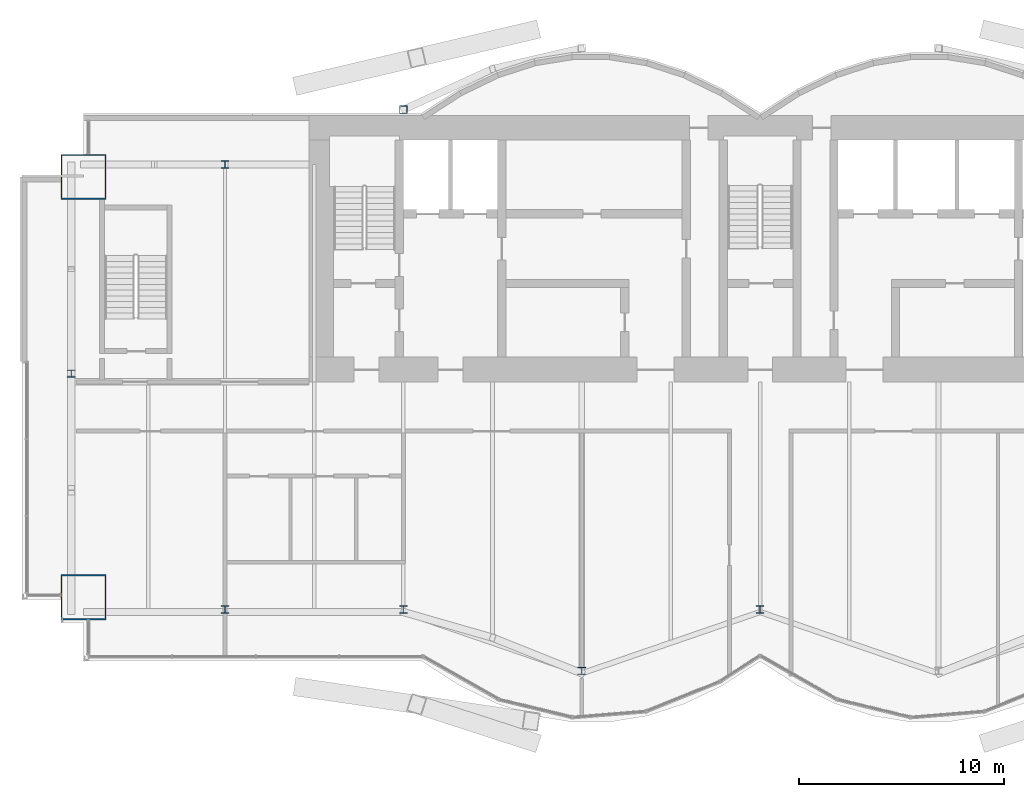
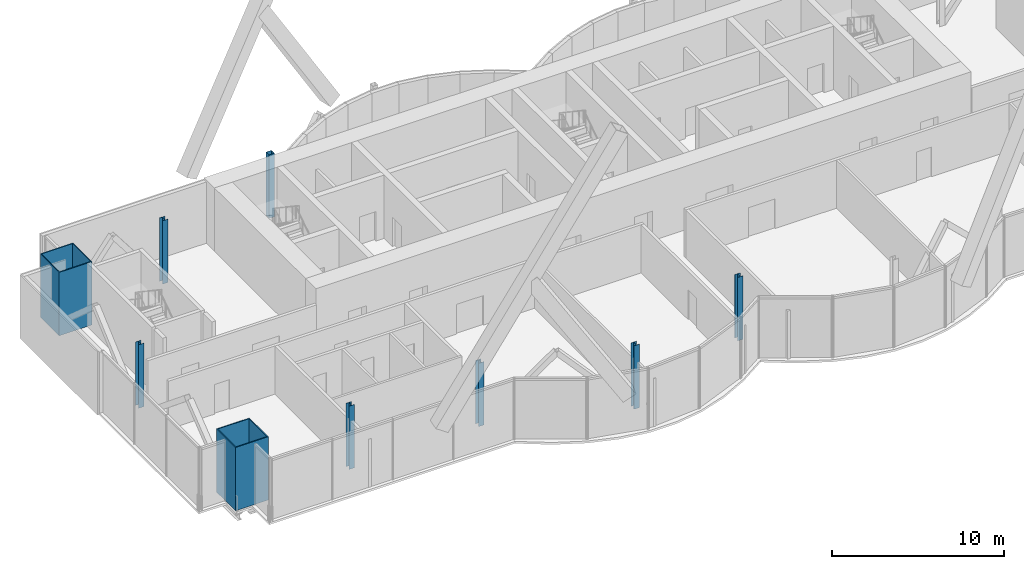
# One storey, part 1 of 20: 9 columns.
"""IFC4 building model written with IfcOpenShell, lengths in metres."""

from ifc_helpers import new_model, si_unit, direction, frame, origin, origin_2d, place, context, subcontext, project, spatial, hollow_rectangle, i_section, extrude, material, material_profile, profile_set, type_object, element, save


model = new_model("IFC4")

# Units and contexts
model_context = context("Model", 3, precision=1e-05, world=origin(), true_north=direction((0.0, 1.0)))
body_context = subcontext(model_context, "Body", "Model", "MODEL_VIEW")
ifc_project = project(units=[si_unit("LENGTHUNIT", "METRE"), si_unit("AREAUNIT", "SQUARE_METRE"), si_unit("VOLUMEUNIT", "CUBIC_METRE"), si_unit("PLANEANGLEUNIT", "RADIAN"), si_unit("MASSUNIT", "GRAM", prefix="KILO")], contexts=[model_context])

# Site, building, storey
site_placement = place(None, origin())
site = spatial("IfcSite", under=ifc_project, at=site_placement, CompositionType="ELEMENT")
building_placement = place(site_placement, origin())
building = spatial("IfcBuilding", under=site, at=building_placement, Name="Bicima Exchange Tower", CompositionType="ELEMENT")
storey_placement = place(building_placement, frame((0.0, 0.0, 306.5)))
storey = spatial("IfcBuildingStorey", under=building, at=storey_placement, Name="L69", CompositionType="ELEMENT", Elevation=306.5)

# Columns
ifc_material_1 = material(Name="Steel ASTM A572 Gr 50", Category="steel")
ifc_material_profile_1 = material_profile(ifc_material_1, hollow_rectangle(XDim=2.199951171875, YDim=2.199951171875, WallThickness=0.06005859375, at=origin_2d()))
ifc_profile_set_1 = profile_set([ifc_material_profile_1], Name="Steel ASTM A572 Gr 50")
column_type_1 = type_object("IfcColumnType", Name="Mega column BOX 2200x2200x60", PredefinedType="COLUMN", material=ifc_profile_set_1)
for number, where, z_axis, x_axis, name in (
    (1, (-33.0, -23.506103515625, 0.0), (0.0, 0.0, 1.0), (1.0, 0.0, 0.0), "Mega column mega-33.0f"),
    (2, (-33.0, -3.0, 0.0), (0.0, 0.0, 1.0), (1.0, 0.0, 0.0), "Mega column mega-33.0r"),
):
    element("IfcColumn", number, at=place(storey_placement, frame(where, z_axis=z_axis, x_axis=x_axis)), inside=storey, type_object=column_type_1, Name=name, PredefinedType="COLUMN", context=body_context, shape_type="SweptSolid", body=[
        extrude(hollow_rectangle(XDim=2.199951171875, YDim=2.199951171875, WallThickness=0.06005859375, at=origin_2d()), origin(), (0.0, 0.0, 1.0), 4.5),
    ])
ifc_material_2 = material(Name="Steel ASTM A992 Gr 50", Category="steel")
ifc_material_profile_2 = material_profile(ifc_material_2, i_section(OverallWidth=0.368408203125, OverallDepth=0.355712890625, WebThickness=0.01123046875, FlangeThickness=0.01806640625, at=origin_2d()))
ifc_profile_set_2 = profile_set([ifc_material_profile_2], Name="Steel ASTM A992 Gr 50")
column_type_2 = type_object("IfcColumnType", Name="Perimeter column W14x90", PredefinedType="COLUMN", material=ifc_profile_set_2)
for number, where, z_axis, x_axis, name in (
    (3, (-26.10009765625, -24.10595703125, 0.0), (0.0, 0.0, 1.0), (1.0, 0.0, 0.0), "Perimeter column grav-26.1f"),
    (4, (-26.10009765625, -2.39990234375, 0.0), (0.0, 0.0, 1.0), (1.0, 0.0, 0.0), "Perimeter column grav-26.1r"),
    (5, (-17.39990234375, -24.10595703125, 0.0), (0.0, 0.0, 1.0), (1.0, 0.0, 0.0), "Perimeter column grav-17.4f"),
    (6, (-8.699951171875, -27.09716796875, 0.0), (0.0, 0.0, 1.0), (1.0, 0.0, 0.0), "Perimeter column grav-8.7f"),
    (7, (0.0, -24.10595703125, 0.0), (0.0, 0.0, 1.0), (1.0, 0.0, 0.0), "Perimeter column grav-0.0f"),
    (8, (-33.60009765625, -12.60009765625, 0.0), (0.0, 0.0, 1.0), (1.0, 0.0, 0.0), "End column end-33.6e"),
):
    element("IfcColumn", number, at=place(storey_placement, frame(where, z_axis=z_axis, x_axis=x_axis)), inside=storey, type_object=column_type_2, Name=name, PredefinedType="COLUMN", context=body_context, shape_type="SweptSolid", body=[
        extrude(i_section(OverallWidth=0.368408203125, OverallDepth=0.355712890625, WebThickness=0.01123046875, FlangeThickness=0.01806640625, at=origin_2d()), origin(), (0.0, 0.0, 1.0), 4.5),
    ])
ifc_material_profile_3 = material_profile(ifc_material_1, hollow_rectangle(XDim=0.355712890625, YDim=0.355712890625, WallThickness=0.01171875, at=origin_2d()))
ifc_profile_set_3 = profile_set([ifc_material_profile_3], Name="Steel ASTM A572 Gr 50")
column_type_3 = type_object("IfcColumnType", Name="Rear pilaster HSS14x14x1/2", PredefinedType="COLUMN", material=ifc_profile_set_3)
column_placement = place(storey_placement, frame((-17.39990234375, 0.278076171875, 0.0), z_axis=(0.0, 0.0, 1.0), x_axis=(1.0, 0.0, 0.0)))
element("IfcColumn", 9, at=column_placement, inside=storey, type_object=column_type_3, Name="Rear pilaster rexo-17.4r", PredefinedType="COLUMN", context=body_context, shape_type="SweptSolid", body=[
    extrude(hollow_rectangle(XDim=0.355712890625, YDim=0.355712890625, WallThickness=0.01171875, at=origin_2d()), origin(), (0.0, 0.0, 1.0), 4.5),
])

save(model, "model.ifc")
